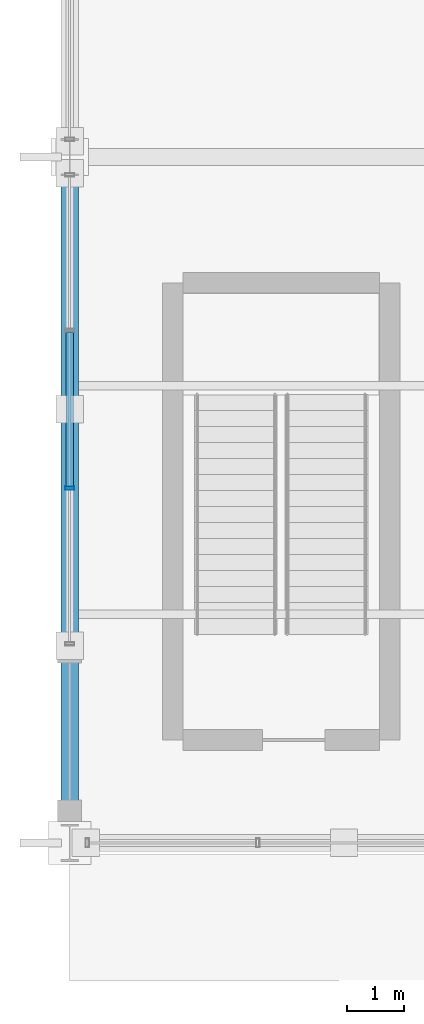
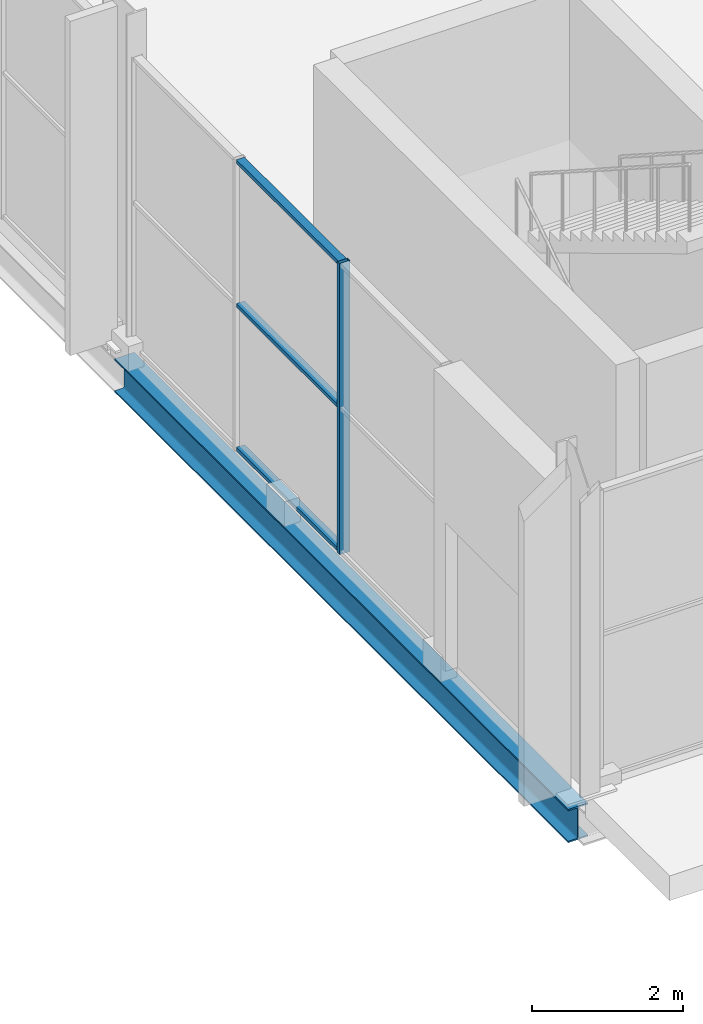
# One storey, part 27 of 196: 4 members, 1 beam, 1 element without a shape of its own.
"""IFC4 building model written with IfcOpenShell, lengths in metres."""

from ifc_helpers import new_model, si_unit, direction, frame, origin, origin_2d, place, context, subcontext, project, spatial, hollow_rectangle, i_section, extrude, material, material_profile, profile_set, type_object, element, aggregate, save


model = new_model("IFC4")

# Units and contexts
model_context = context("Model", 3, precision=1e-05, world=origin(), true_north=direction((0.0, 1.0)))
body_context = subcontext(model_context, "Body", "Model", "MODEL_VIEW")
ifc_project = project(units=[si_unit("LENGTHUNIT", "METRE"), si_unit("AREAUNIT", "SQUARE_METRE"), si_unit("VOLUMEUNIT", "CUBIC_METRE"), si_unit("PLANEANGLEUNIT", "RADIAN"), si_unit("MASSUNIT", "GRAM", prefix="KILO")], contexts=[model_context])

# Site, building, storey
site_placement = place(None, origin())
site = spatial("IfcSite", under=ifc_project, at=site_placement, CompositionType="ELEMENT")
building_placement = place(site_placement, origin())
building = spatial("IfcBuilding", under=site, at=building_placement, Name="Merenkruunu Market Hall", CompositionType="ELEMENT")
storey_placement = place(building_placement, origin())
storey = spatial("IfcBuildingStorey", under=building, at=storey_placement, Name="L00", CompositionType="ELEMENT", Elevation=0.0)

# Curtain wall, members
ifc_material_1 = material(Name="Powder-coated aluminium", Category="aluminium")
curtain_wall_type = type_object("IfcCurtainWallType", Name="Glazed Curtain Wall CW01", PredefinedType="USERDEFINED", material=ifc_material_1)
curtain_wall_placement = place(storey_placement, origin())
curtain_wall = element("IfcCurtainWall", 1, at=curtain_wall_placement, inside=storey, type_object=curtain_wall_type, Name="CW-L00-CWM01-001", ObjectType="GLAZED_FACADE", PredefinedType="USERDEFINED")
ifc_material_profile_1 = material_profile(ifc_material_1, hollow_rectangle(XDim=0.06005859375, YDim=0.159912109375, WallThickness=0.00390625, at=origin_2d()), Name="ALU 60x160x4")
ifc_profile_set_1 = profile_set([ifc_material_profile_1], Name="Powder-coated aluminium")
member_type_1 = type_object("IfcMemberType", Name="Curtain Wall Mullion CWM01", PredefinedType="MULLION", material=ifc_profile_set_1)
member_1_placement = place(storey_placement, frame((0.0, 21.806640625, 0.0), z_axis=(0.0, 0.0, 1.0), x_axis=(0.0, 1.0, 0.0)))
member_1 = element("IfcMember", 2, at=member_1_placement, type_object=member_type_1, Name="CW01 mullion 2", PredefinedType="MULLION", context=body_context, shape_type="SweptSolid", body=[
    extrude(hollow_rectangle(XDim=0.06005859375, YDim=0.159912109375, WallThickness=0.00390625, at=origin_2d()), origin(), (0.0, 0.0, 1.0), 4.699951171875),
])
ifc_material_profile_2 = material_profile(ifc_material_1, hollow_rectangle(XDim=0.06005859375, YDim=0.125, WallThickness=0.00390625, at=origin_2d()), Name="ALU 60x125x4")
ifc_profile_set_2 = profile_set([ifc_material_profile_2], Name="Powder-coated aluminium")
member_type_2 = type_object("IfcMemberType", Name="Curtain Wall Transom CWT01", PredefinedType="USERDEFINED", material=ifc_profile_set_2)
member_2_placement = place(storey_placement, frame((0.0, 21.836669921875, 0.030029296875), z_axis=(0.0, 1.0, 0.0), x_axis=(0.0, 0.0, 1.0)))
member_2 = element("IfcMember", 3, at=member_2_placement, type_object=member_type_2, Name="CW01 transom 2.1", ObjectType="TRANSOM", PredefinedType="USERDEFINED", context=body_context, shape_type="SweptSolid", body=[
    extrude(hollow_rectangle(XDim=0.06005859375, YDim=0.125, WallThickness=0.00390625, at=origin_2d()), origin(), (0.0, 0.0, 1.0), 2.69677734375),
])
member_3_placement = place(storey_placement, frame((0.0, 21.836669921875, 2.35009765625), z_axis=(0.0, 1.0, 0.0), x_axis=(0.0, 0.0, 1.0)))
member_3 = element("IfcMember", 4, at=member_3_placement, type_object=member_type_2, Name="CW01 transom 2.2", ObjectType="TRANSOM", PredefinedType="USERDEFINED", context=body_context, shape_type="SweptSolid", body=[
    extrude(hollow_rectangle(XDim=0.06005859375, YDim=0.125, WallThickness=0.00390625, at=origin_2d()), origin(), (0.0, 0.0, 1.0), 2.69677734375),
])
member_4_placement = place(storey_placement, frame((0.0, 21.836669921875, 4.669921875), z_axis=(0.0, 1.0, 0.0), x_axis=(0.0, 0.0, 1.0)))
member_4 = element("IfcMember", 5, at=member_4_placement, type_object=member_type_2, Name="CW01 transom 2.3", ObjectType="TRANSOM", PredefinedType="USERDEFINED", context=body_context, shape_type="SweptSolid", body=[
    extrude(hollow_rectangle(XDim=0.06005859375, YDim=0.125, WallThickness=0.00390625, at=origin_2d()), origin(), (0.0, 0.0, 1.0), 2.69677734375),
])
aggregate(curtain_wall, [member_1, member_2, member_3, member_4])

# Beam
ifc_material_2 = material(Name="Steel S355J2", Category="steel")
ifc_material_profile_3 = material_profile(ifc_material_2, i_section(OverallWidth=0.300048828125, OverallDepth=0.5400390625, WebThickness=0.012451171875, FlangeThickness=0.02392578125, FilletRadius=0.027099609375, at=origin_2d()), Name="HEA 550")
ifc_profile_set_3 = profile_set([ifc_material_profile_3], Name="Steel S355J2")
beam_type = type_object("IfcBeamType", Name="Primary Floor Girder B06", PredefinedType="BEAM", material=ifc_profile_set_3)
beam_placement = place(storey_placement, frame((0.0, 15.60009765625, -0.610107421875), z_axis=(0.0, 1.0, 0.0), x_axis=(-1.0, 0.0, 0.0)))
element("IfcBeam", 6, at=beam_placement, inside=storey, type_object=beam_type, Name="BM-L00-B06-0136", PredefinedType="BEAM", context=body_context, shape_type="SweptSolid", body=[
    extrude(i_section(OverallWidth=0.300048828125, OverallDepth=0.5400390625, WebThickness=0.012451171875, FlangeThickness=0.02392578125, FilletRadius=0.027099609375, at=origin_2d()), origin(), (0.0, 0.0, 1.0), 12.0),
])

save(model, "model.ifc")
